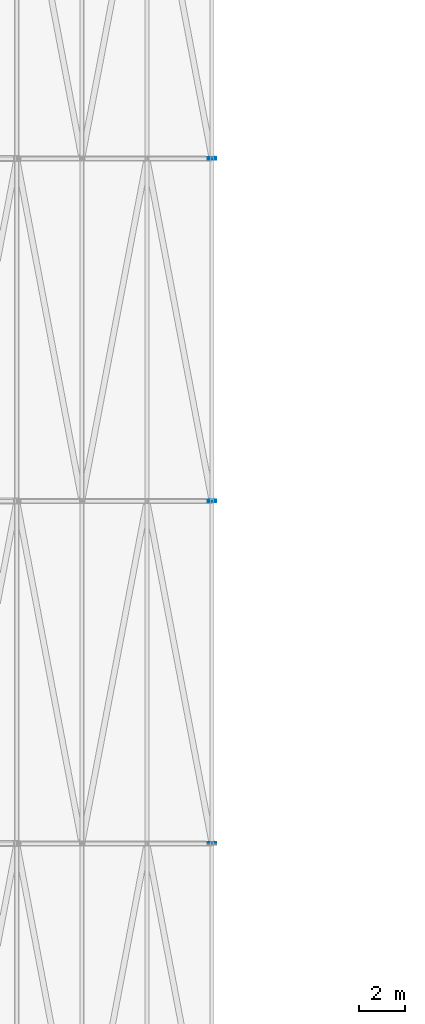
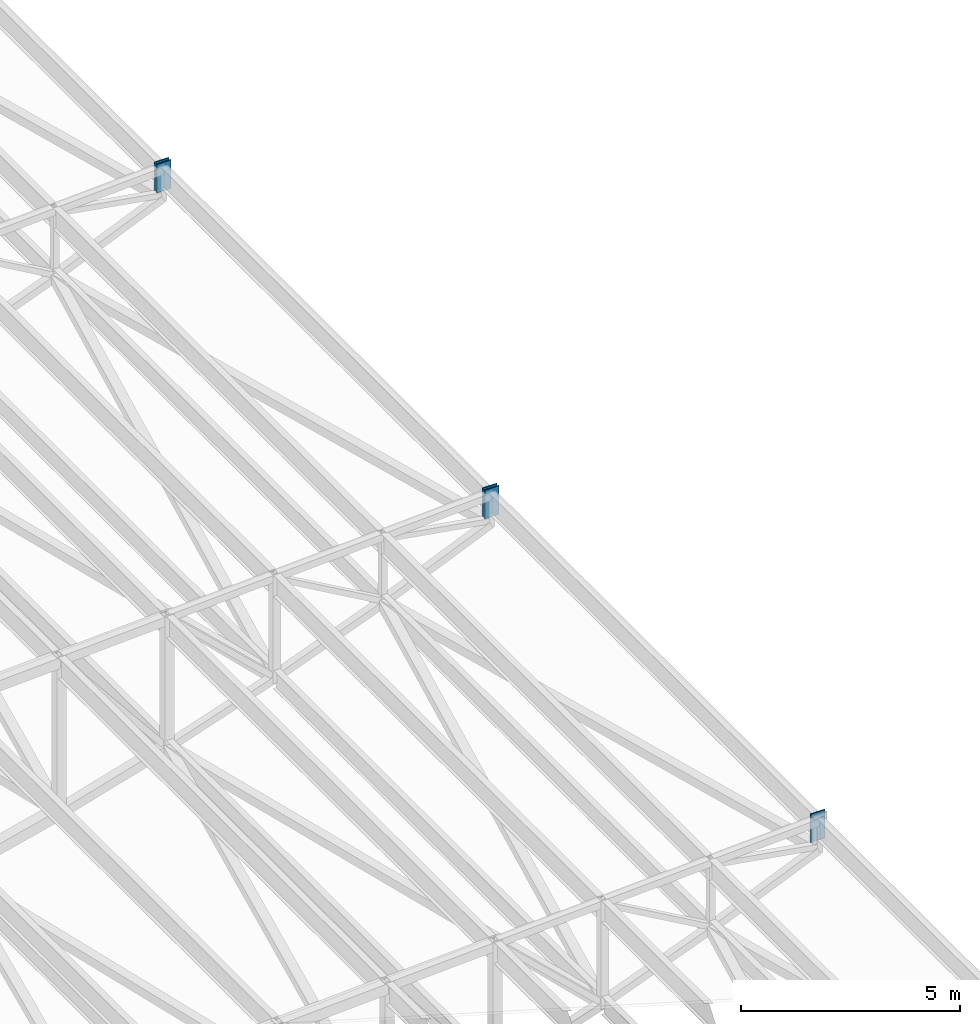
# One storey, part 169 of 278: 5 discrete accessories.
"""IFC4 building model written with IfcOpenShell, lengths in metres."""

from ifc_helpers import new_model, si_unit, direction, frame, origin, origin_2d, place, context, subcontext, project, spatial, rectangle, extrude, material, layer, layer_set, type_object, element, save


model = new_model("IFC4")

# Units and contexts
model_context = context("Model", 3, precision=1e-05, world=origin(), true_north=direction((0.0, 1.0)))
body_context = subcontext(model_context, "Body", "Model", "MODEL_VIEW")
ifc_project = project(units=[si_unit("LENGTHUNIT", "METRE"), si_unit("AREAUNIT", "SQUARE_METRE"), si_unit("VOLUMEUNIT", "CUBIC_METRE"), si_unit("PLANEANGLEUNIT", "RADIAN"), si_unit("MASSUNIT", "GRAM", prefix="KILO")], contexts=[model_context])

# Site, building, storey
site_placement = place(None, origin())
site = spatial("IfcSite", under=ifc_project, at=site_placement, CompositionType="ELEMENT")
building_placement = place(site_placement, origin())
building = spatial("IfcBuilding", under=site, at=building_placement, Name="Ogive Plaza Stadium", CompositionType="ELEMENT")
storey_placement = place(building_placement, frame((0.0, 0.0, 29.0)))
storey = spatial("IfcBuildingStorey", under=building, at=storey_placement, Name="Roof", CompositionType="ELEMENT", Elevation=29.0)

# Discrete accessories
ifc_material = material(Name="Steel ASTM A992 Grade 50", Category="steel")
ifc_layer = layer(ifc_material, 0.030029296875)
ifc_layer_set = layer_set([ifc_layer], Name="Steel ASTM A992 Grade 50")
discrete_accessory_type = type_object("IfcDiscreteAccessoryType", Name="Ring beam end plate 30", PredefinedType="ANCHORPLATE", material=ifc_layer_set)
for number, where, z_axis, x_axis, name in (
    (1, (-45.5, -7.453857421875, 6.7265625), (0.0, 0.0, 1.0), (0.0, 1.0, 0.0), "RING BEAM END PLATE B24 1"),
    (2, (-45.5, 7.453857421875, 6.7265625), (0.0, 0.0, 1.0), (0.0, 1.0, 0.0), "RING BEAM END PLATE B24 2"),
    (3, (-45.5, 7.546142578125, 6.7265625), (0.0, 0.0, 1.0), (0.0, 1.0, 0.0), "RING BEAM END PLATE B25 1"),
    (4, (-45.5, 22.453857421875, 6.7265625), (0.0, 0.0, 1.0), (0.0, 1.0, 0.0), "RING BEAM END PLATE B25 2"),
    (5, (-45.5, 22.546142578125, 6.7265625), (0.0, 0.0, 1.0), (0.0, 1.0, 0.0), "RING BEAM END PLATE B26 1"),
):
    element("IfcDiscreteAccessory", number, at=place(storey_placement, frame(where, z_axis=z_axis, x_axis=x_axis)), inside=storey, type_object=discrete_accessory_type, Name=name, PredefinedType="ANCHORPLATE", context=body_context, shape_type="SweptSolid", body=[
        extrude(rectangle(XDim=0.030029296875, YDim=0.3779296875, at=origin_2d()), origin(), (0.0, 0.0, 1.0), 0.798583984375),
    ])

save(model, "model.ifc")
